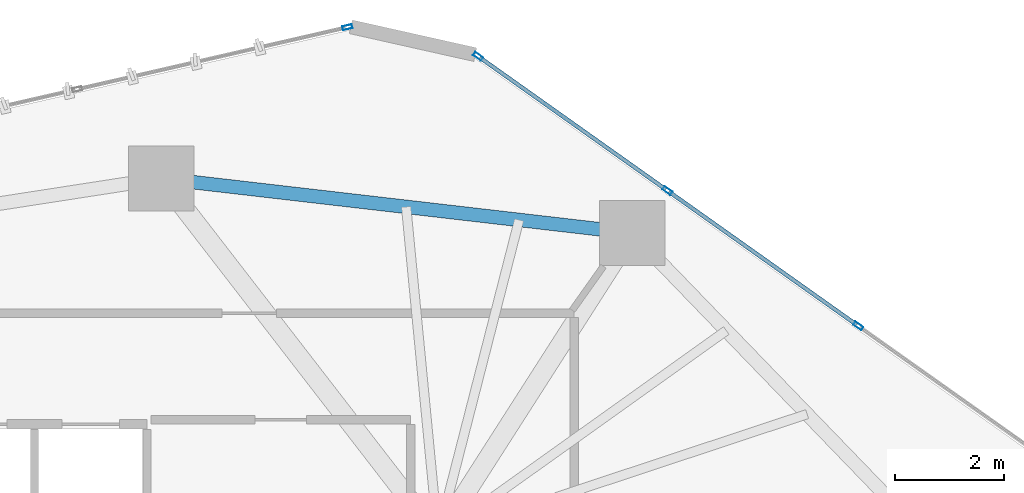
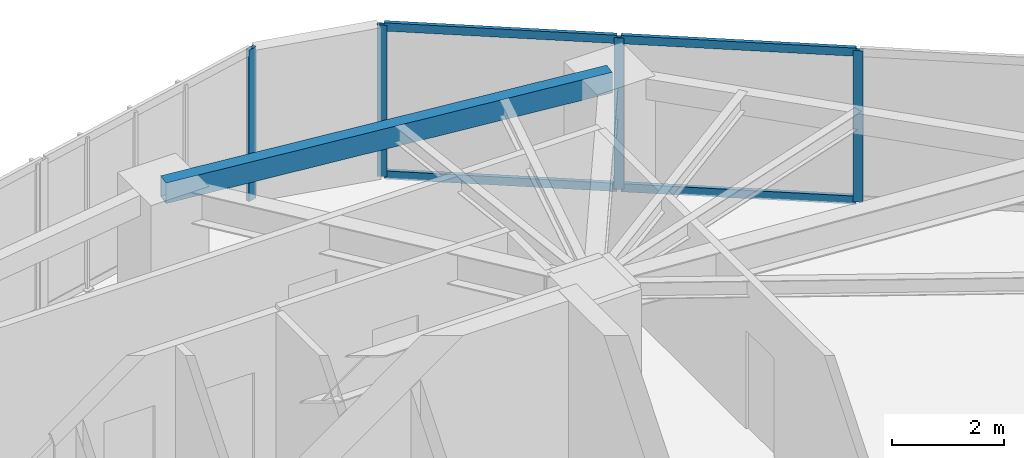
# One storey, part 15 of 21: 8 members, 1 beam, 2 elements without a shape of their own.
"""IFC4 building model written with IfcOpenShell, lengths in metres."""

from ifc_helpers import new_model, si_unit, direction, frame, origin, origin_2d, place, context, subcontext, project, spatial, hollow_rectangle, extrude, source, transform, mapped, material, layer, layer_set, material_profile, profile_set, type_object, type_shapes, element, aggregate, save


model = new_model("IFC4")

# Units and contexts
model_context = context("Model", 3, precision=1e-05, world=origin(), true_north=direction((0.0, 1.0)))
body_context = subcontext(model_context, "Body", "Model", "MODEL_VIEW")
ifc_project = project(units=[si_unit("LENGTHUNIT", "METRE"), si_unit("AREAUNIT", "SQUARE_METRE"), si_unit("VOLUMEUNIT", "CUBIC_METRE"), si_unit("PLANEANGLEUNIT", "RADIAN"), si_unit("MASSUNIT", "GRAM", prefix="KILO")], contexts=[model_context])

# Site, building, storey
site_placement = place(None, origin())
site = spatial("IfcSite", under=ifc_project, at=site_placement, CompositionType="ELEMENT")
building_placement = place(site_placement, origin())
building = spatial("IfcBuilding", under=site, at=building_placement, Name="Talar Marvaseh", CompositionType="ELEMENT")
storey_placement = place(building_placement, frame((0.0, 0.0, 129.0)))
storey = spatial("IfcBuildingStorey", under=building, at=storey_placement, Name="L33", CompositionType="ELEMENT", Elevation=129.0)

# Beam
ifc_material_1 = material(Name="Steel S355", Category="steel")
ifc_material_profile_1 = material_profile(ifc_material_1, hollow_rectangle(XDim=0.25, YDim=0.449951171875, WallThickness=0.01611328125, at=origin_2d()), Name="RHS450x250x16")
ifc_profile_set_1 = profile_set([ifc_material_profile_1], Name="Steel S355")
beam_type = type_object("IfcBeamType", Name="Zone 2 Perimeter Spandrel Beam RHS450x250x16", PredefinedType="SPANDREL", material=ifc_profile_set_1)
beam_placement = place(storey_placement, frame((28.221923828125, 43.471923828125, 3.0849609375), z_axis=(0.993361914569, -0.115030894474, 0.0), x_axis=(0.115030894474, 0.993361914569, 0.0)))
element("IfcBeam", 1, at=beam_placement, inside=storey, type_object=beam_type, Name="L33 Zone 2 Perimeter Spandrel Beam RHS450x250x16", PredefinedType="SPANDREL", context=body_context, shape_type="SweptSolid", body=[
    extrude(hollow_rectangle(XDim=0.25, YDim=0.449951171875, WallThickness=0.01611328125, at=origin_2d()), origin(), (0.0, 0.0, 1.0), 8.701904296875),
])

# Curtain wall, member
ifc_material_2 = material(Name="Architectural Aluminium", Category="aluminium")
ifc_layer = layer(ifc_material_2, 0.199951171875)
ifc_layer_set = layer_set([ifc_layer], Name="Architectural Aluminium")
curtain_wall_type = type_object("IfcCurtainWallType", Name="Unitised Acoustic Library Curtain Wall Z2", PredefinedType="NOTDEFINED", material=ifc_layer_set)
curtain_wall_1_placement = place(storey_placement, origin())
curtain_wall_1 = element("IfcCurtainWall", 2, at=curtain_wall_1_placement, inside=storey, type_object=curtain_wall_type, Name="L33 Unitised Acoustic Library Curtain Wall Z2", PredefinedType="NOTDEFINED")
ifc_material_profile_2 = material_profile(ifc_material_2, hollow_rectangle(XDim=0.074951171875, YDim=0.179931640625, WallThickness=0.0048828125, at=origin_2d()), Name="RHS180x75x5")
ifc_profile_set_2 = profile_set([ifc_material_profile_2], Name="Architectural Aluminium")
member_type_1 = type_object("IfcMemberType", Name="Unitised Curtain Wall Standard Mullion RHS180x75x5", PredefinedType="MULLION", material=ifc_profile_set_2)
shared_shape_1 = source(origin(), body_context, "Body", "SweptSolid", [
    extrude(hollow_rectangle(XDim=0.074951171875, YDim=0.179931640625, WallThickness=0.0048828125, at=origin_2d()), origin(), (0.0, 0.0, 1.0), 3.31005859375),
])
type_shapes(member_type_1, [shared_shape_1])
member_1_placement = place(storey_placement, frame((31.638427734375, 46.24951171875, 0.0), z_axis=(0.0, 0.0, 1.0), x_axis=(-0.223792586722, 0.974636792928, 0.0)))
member_1 = element("IfcMember", 3, at=member_1_placement, type_object=member_type_1, Name="CW-Z2 mullion 4", PredefinedType="MULLION", context=body_context, shape_type="MappedRepresentation", body=[
    mapped(shared_shape_1, transform((0.0, 0.0, 0.0), x_axis=(1.0, 0.0, 0.0), y_axis=(0.0, 1.0, 0.0), z_axis=(0.0, 0.0, 1.0), scale=1.0)),
])
aggregate(curtain_wall_1, [member_1])

# Curtain wall, members
curtain_wall_2_placement = place(storey_placement, origin())
curtain_wall_2 = element("IfcCurtainWall", 4, at=curtain_wall_2_placement, inside=storey, type_object=curtain_wall_type, Name="L33 Unitised Acoustic Library Curtain Wall Z2", PredefinedType="NOTDEFINED")
member_2_placement = place(storey_placement, frame((34.037841796875, 45.715087890625, 0.0), z_axis=(0.0, 0.0, 1.0), x_axis=(0.578517868737, 0.815669709841, 0.0)))
member_2 = element("IfcMember", 5, at=member_2_placement, type_object=member_type_1, Name="CW-Z2 mullion 1", PredefinedType="MULLION", context=body_context, shape_type="MappedRepresentation", body=[
    mapped(shared_shape_1, transform((0.0, 0.0, 0.0), x_axis=(1.0, 0.0, 0.0), y_axis=(0.0, 1.0, 0.0), z_axis=(0.0, 0.0, 1.0), scale=1.0)),
])
member_3_placement = place(storey_placement, frame((37.512939453125, 43.250244140625, 0.0), z_axis=(0.0, 0.0, 1.0), x_axis=(0.578517868737, 0.815669709841, 0.0)))
member_3 = element("IfcMember", 6, at=member_3_placement, type_object=member_type_1, Name="CW-Z2 mullion 2", PredefinedType="MULLION", context=body_context, shape_type="MappedRepresentation", body=[
    mapped(shared_shape_1, transform((0.0, 0.0, 0.0), x_axis=(1.0, 0.0, 0.0), y_axis=(0.0, 1.0, 0.0), z_axis=(0.0, 0.0, 1.0), scale=1.0)),
])
member_4_placement = place(storey_placement, frame((41.0185546875, 40.763916015625, 0.0), z_axis=(0.0, 0.0, 1.0), x_axis=(0.578517868737, 0.815669709841, 0.0)))
member_4 = element("IfcMember", 7, at=member_4_placement, type_object=member_type_1, Name="CW-Z2 mullion 3", PredefinedType="MULLION", context=body_context, shape_type="MappedRepresentation", body=[
    mapped(shared_shape_1, transform((0.0, 0.0, 0.0), x_axis=(1.0, 0.0, 0.0), y_axis=(0.0, 1.0, 0.0), z_axis=(0.0, 0.0, 1.0), scale=1.0)),
])
ifc_material_profile_3 = material_profile(ifc_material_2, hollow_rectangle(XDim=0.074951171875, YDim=0.179931640625, WallThickness=0.0048828125, at=origin_2d()), Name="RHS180x75x5")
ifc_profile_set_3 = profile_set([ifc_material_profile_3], Name="Architectural Aluminium")
member_type_2 = type_object("IfcMemberType", Name="Unitised Curtain Wall Transom RHS180x75x5", PredefinedType="USERDEFINED", material=ifc_profile_set_3)
shared_shape_2 = source(origin(), body_context, "Body", "SweptSolid", [
    extrude(hollow_rectangle(XDim=0.074951171875, YDim=0.179931640625, WallThickness=0.0048828125, at=origin_2d()), origin(), (0.0, 0.0, 1.0), 4.185302734375),
])
member_5_placement = place(storey_placement, frame((34.068359375, 45.693359375, 0.03759765625), z_axis=(0.815656318371, -0.57853674931, 0.0), x_axis=(0.57853674931, 0.815656318371, 0.0)))
member_5 = element("IfcMember", 8, at=member_5_placement, type_object=member_type_2, Name="CW-Z2 transom 1.1", ObjectType="TRANSOM", PredefinedType="USERDEFINED", context=body_context, shape_type="MappedRepresentation", body=[
    mapped(shared_shape_2, transform((0.0, 0.0, 0.0), x_axis=(1.0, 0.0, 0.0), y_axis=(0.0, 1.0, 0.0), z_axis=(0.0, 0.0, 1.0), scale=1.0)),
])
member_6_placement = place(storey_placement, frame((34.068359375, 45.693359375, 3.2724609375), z_axis=(0.815656318371, -0.57853674931, 0.0), x_axis=(0.57853674931, 0.815656318371, 0.0)))
member_6 = element("IfcMember", 9, at=member_6_placement, type_object=member_type_2, Name="CW-Z2 transom 1.2", ObjectType="TRANSOM", PredefinedType="USERDEFINED", context=body_context, shape_type="MappedRepresentation", body=[
    mapped(shared_shape_2, transform((0.0, 0.0, 0.0), x_axis=(1.0, 0.0, 0.0), y_axis=(0.0, 1.0, 0.0), z_axis=(0.0, 0.0, 1.0), scale=1.0)),
])
shared_shape_3 = source(origin(), body_context, "Body", "SweptSolid", [
    extrude(hollow_rectangle(XDim=0.074951171875, YDim=0.179931640625, WallThickness=0.0048828125, at=origin_2d()), origin(), (0.0, 0.0, 1.0), 4.22265625),
])
type_shapes(member_type_2, [shared_shape_2, shared_shape_3])
member_7_placement = place(storey_placement, frame((37.54345703125, 43.228515625, 0.03759765625), z_axis=(0.815674358245, -0.578511314757, 0.0), x_axis=(0.578511314757, 0.815674358245, 0.0)))
member_7 = element("IfcMember", 10, at=member_7_placement, type_object=member_type_2, Name="CW-Z2 transom 2.1", ObjectType="TRANSOM", PredefinedType="USERDEFINED", context=body_context, shape_type="MappedRepresentation", body=[
    mapped(shared_shape_3, transform((0.0, 0.0, 0.0), x_axis=(1.0, 0.0, 0.0), y_axis=(0.0, 1.0, 0.0), z_axis=(0.0, 0.0, 1.0), scale=1.0)),
])
member_8_placement = place(storey_placement, frame((37.54345703125, 43.228515625, 3.2724609375), z_axis=(0.815674358245, -0.578511314757, 0.0), x_axis=(0.578511314757, 0.815674358245, 0.0)))
member_8 = element("IfcMember", 11, at=member_8_placement, type_object=member_type_2, Name="CW-Z2 transom 2.2", ObjectType="TRANSOM", PredefinedType="USERDEFINED", context=body_context, shape_type="MappedRepresentation", body=[
    mapped(shared_shape_3, transform((0.0, 0.0, 0.0), x_axis=(1.0, 0.0, 0.0), y_axis=(0.0, 1.0, 0.0), z_axis=(0.0, 0.0, 1.0), scale=1.0)),
])
aggregate(curtain_wall_2, [member_2, member_3, member_4, member_5, member_6, member_7, member_8])

save(model, "model.ifc")
